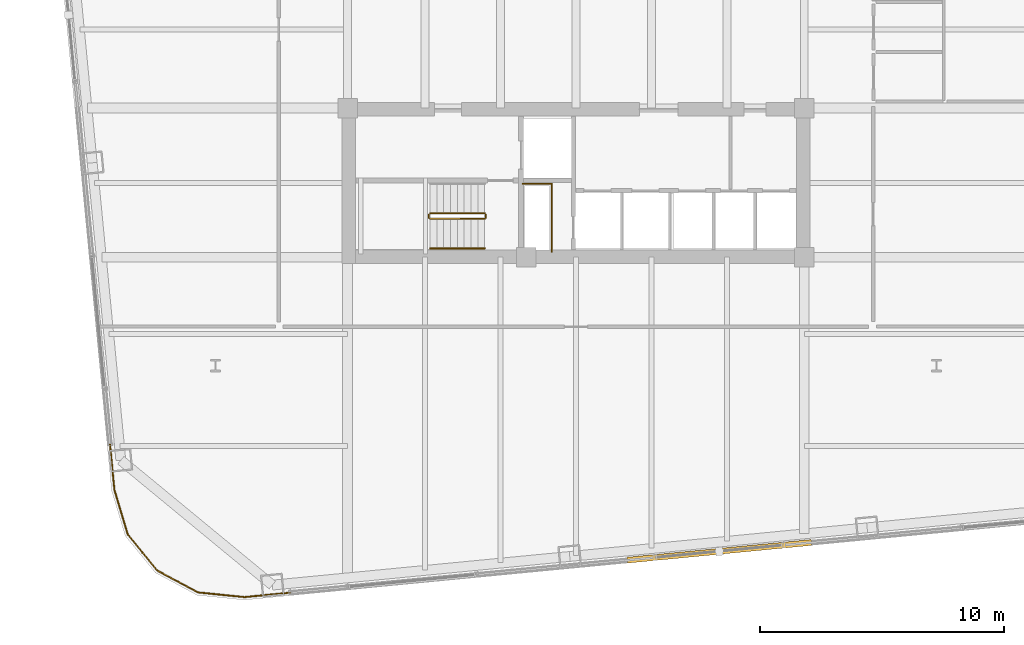
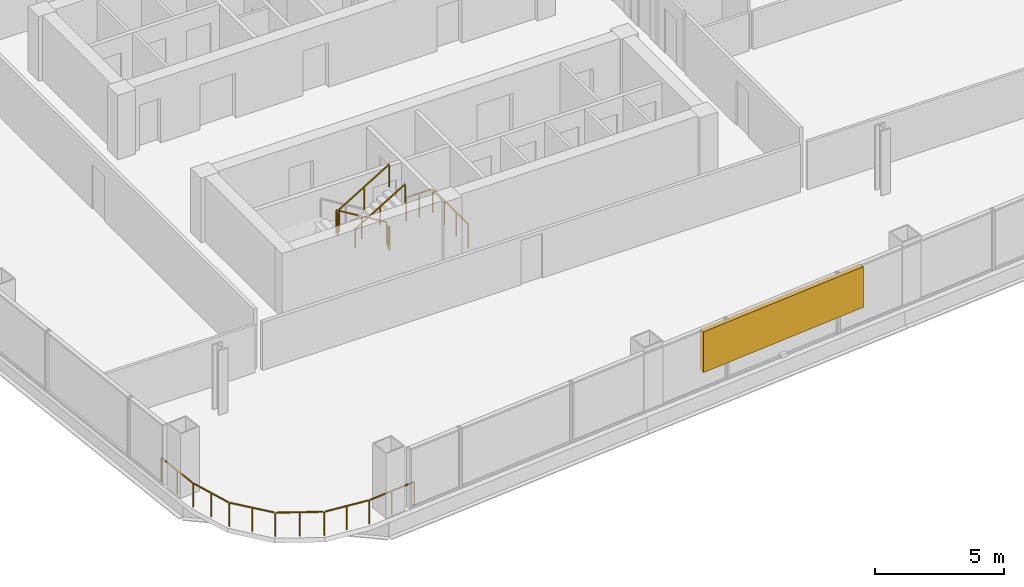
# One storey, part 24 of 26: 7 railings, 1 shading device.
"""IFC4 building model written with IfcOpenShell, lengths in metres."""

from ifc_helpers import new_model, si_unit, direction, frame, origin, origin_2d, place, context, subcontext, project, spatial, rectangle, extrude, material, type_object, element, save


model = new_model("IFC4")

# Units and contexts
model_context = context("Model", 3, precision=1e-05, world=origin(), true_north=direction((0.0, 1.0)))
body_context = subcontext(model_context, "Body", "Model", "MODEL_VIEW")
ifc_project = project(units=[si_unit("LENGTHUNIT", "METRE"), si_unit("AREAUNIT", "SQUARE_METRE"), si_unit("VOLUMEUNIT", "CUBIC_METRE"), si_unit("PLANEANGLEUNIT", "RADIAN"), si_unit("MASSUNIT", "GRAM", prefix="KILO")], contexts=[model_context])

# Site, building, storey
site_placement = place(None, origin())
site = spatial("IfcSite", under=ifc_project, at=site_placement, CompositionType="ELEMENT")
building_placement = place(site_placement, origin())
building = spatial("IfcBuilding", under=site, at=building_placement, Name="Qhalaya Broadcast Tower", CompositionType="ELEMENT")
storey_placement = place(building_placement, frame((0.0, 0.0, 72.5)))
storey = spatial("IfcBuildingStorey", under=building, at=storey_placement, Name="L20", CompositionType="ELEMENT", Elevation=72.5)

# Railings
ifc_material_1 = material(Name="Powder-Coated Galvanised Steel", Category="steel")
railing_type_1 = type_object("IfcRailingType", Name="Stair Wall Handrail 900", PredefinedType="HANDRAIL", material=ifc_material_1)
railing_1_placement = place(storey_placement, frame((-5.989990234375, -8.389892578125, 1.6943359375)))
element("IfcRailing", 1, at=railing_1_placement, inside=storey, type_object=railing_type_1, Name="L20 ST-2 Stair Handrail 2", PredefinedType="HANDRAIL", context=body_context, shape_type="SweptSolid", body=[
    extrude(rectangle(XDim=0.048095703125, YDim=0.048095703125, at=origin_2d()), frame((0.0, 0.0, 0.8759765625), z_axis=(0.855512035549, 0.0, 0.517782924622), x_axis=(0.0, 1.0, 0.0)), (0.0, 0.0, 1.0), 2.618408203125),
    extrude(rectangle(XDim=0.0419921875, YDim=0.0419921875, at=origin_2d()), origin(), (0.0, 0.0, 1.0), 0.849853515625),
    extrude(rectangle(XDim=0.0419921875, YDim=0.0419921875, at=origin_2d()), frame((1.1201171875, 0.0, 0.677734375)), (0.0, 0.0, 1.0), 0.849853515625),
    extrude(rectangle(XDim=0.0419921875, YDim=0.0419921875, at=origin_2d()), frame((2.239990234375, 0.0, 1.355712890625)), (0.0, 0.0, 1.0), 0.849853515625),
])
railing_type_2 = type_object("IfcRailingType", Name="Stair Well & Landing Guardrail 1100", PredefinedType="GUARDRAIL", material=ifc_material_1)
railing_2_placement = place(storey_placement, frame((-1.0, -8.52001953125, 0.0)))
element("IfcRailing", 2, at=railing_2_placement, inside=storey, type_object=railing_type_2, Name="L20 Service Riser Opening Safety Guard SRSR", PredefinedType="GUARDRAIL", context=body_context, shape_type="SweptSolid", body=[
    extrude(rectangle(XDim=0.048095703125, YDim=0.048095703125, at=origin_2d()), frame((0.0, 0.0, 1.1259765625), z_axis=(0.0, 1.0, 0.0), x_axis=(-1.0, 0.0, 0.0)), (0.0, 0.0, 1.0), 2.751220703125),
    extrude(rectangle(XDim=0.048095703125, YDim=0.048095703125, at=origin_2d()), frame((-0.02880859375, 2.780029296875, 1.1259765625), z_axis=(-1.0, 0.0, 0.0), x_axis=(0.0, -1.0, 0.0)), (0.0, 0.0, 1.0), 1.151123046875),
    extrude(rectangle(XDim=0.0419921875, YDim=0.0419921875, at=origin_2d()), origin(), (0.0, 0.0, 1.0), 1.099853515625),
    extrude(rectangle(XDim=0.0419921875, YDim=0.0419921875, at=origin_2d()), frame((0.0, 0.9267578125, 0.0)), (0.0, 0.0, 1.0), 1.099853515625),
    extrude(rectangle(XDim=0.0419921875, YDim=0.0419921875, at=origin_2d()), frame((0.0, 1.853271484375, 0.0)), (0.0, 0.0, 1.0), 1.099853515625),
    extrude(rectangle(XDim=0.0419921875, YDim=0.0419921875, at=origin_2d()), frame((0.0, 2.780029296875, 0.0)), (0.0, 0.0, 1.0), 1.099853515625),
    extrude(rectangle(XDim=0.0419921875, YDim=0.0419921875, at=origin_2d()), frame((-0.58984375, 2.780029296875, 0.0)), (0.0, 0.0, 1.0), 1.099853515625),
    extrude(rectangle(XDim=0.0419921875, YDim=0.0419921875, at=origin_2d()), frame((-1.179931640625, 2.780029296875, 0.0)), (0.0, 0.0, 1.0), 1.099853515625),
])
railing_3_placement = place(storey_placement, frame((-3.75, -6.949951171875, 0.16943359375)))
element("IfcRailing", 3, at=railing_3_placement, inside=storey, type_object=railing_type_2, Name="L20 ST-2 Stair Guard 1", PredefinedType="GUARDRAIL", context=body_context, shape_type="SweptSolid", body=[
    extrude(rectangle(XDim=0.048095703125, YDim=0.048095703125, at=origin_2d()), frame((0.0, 0.0, 1.076171875), z_axis=(-0.855553338991, 0.0, 0.51771467445), x_axis=(0.0, -1.0, 0.0)), (0.0, 0.0, 1.0), 2.6181640625),
    extrude(rectangle(XDim=0.0419921875, YDim=0.0419921875, at=origin_2d()), origin(), (0.0, 0.0, 1.0), 1.050048828125),
    extrude(rectangle(XDim=0.0419921875, YDim=0.0419921875, at=origin_2d()), frame((-1.1201171875, 0.0, 0.677734375)), (0.0, 0.0, 1.0), 1.050048828125),
    extrude(rectangle(XDim=0.0419921875, YDim=0.0419921875, at=origin_2d()), frame((-2.239990234375, 0.0, 1.35546875)), (0.0, 0.0, 1.0), 1.050048828125),
])
railing_4_placement = place(storey_placement, frame((-6.0400390625, -7.0, 1.52490234375)))
element("IfcRailing", 4, at=railing_4_placement, inside=storey, type_object=railing_type_2, Name="L20 ST-2 Stair Guard 2", PredefinedType="GUARDRAIL", context=body_context, shape_type="SweptSolid", body=[
    extrude(rectangle(XDim=0.048095703125, YDim=0.048095703125, at=origin_2d()), frame((0.0, 0.0, 1.076171875), z_axis=(0.0, -1.0, 0.0), x_axis=(1.0, 0.0, 0.0)), (0.0, 0.0, 1.0), 0.1201171875),
    extrude(rectangle(XDim=0.0419921875, YDim=0.0419921875, at=origin_2d()), origin(), (0.0, 0.0, 1.0), 1.050048828125),
    extrude(rectangle(XDim=0.0419921875, YDim=0.0419921875, at=origin_2d()), frame((0.0, -0.1201171875, 0.0)), (0.0, 0.0, 1.0), 1.050048828125),
])
railing_5_placement = place(storey_placement, frame((-5.989990234375, -7.169921875, 1.6943359375)))
element("IfcRailing", 5, at=railing_5_placement, inside=storey, type_object=railing_type_2, Name="L20 ST-2 Stair Guard 3", PredefinedType="GUARDRAIL", context=body_context, shape_type="SweptSolid", body=[
    extrude(rectangle(XDim=0.048095703125, YDim=0.048095703125, at=origin_2d()), frame((0.0, 0.0, 1.076171875), z_axis=(0.855512035549, 0.0, 0.517782924622), x_axis=(0.0, 1.0, 0.0)), (0.0, 0.0, 1.0), 2.618408203125),
    extrude(rectangle(XDim=0.0419921875, YDim=0.0419921875, at=origin_2d()), origin(), (0.0, 0.0, 1.0), 1.050048828125),
    extrude(rectangle(XDim=0.0419921875, YDim=0.0419921875, at=origin_2d()), frame((1.1201171875, 0.0, 0.677734375)), (0.0, 0.0, 1.0), 1.050048828125),
    extrude(rectangle(XDim=0.0419921875, YDim=0.0419921875, at=origin_2d()), frame((2.239990234375, 0.0, 1.355712890625)), (0.0, 0.0, 1.0), 1.050048828125),
])
railing_6_placement = place(storey_placement, frame((-3.699951171875, -7.0, 0.0)))
element("IfcRailing", 6, at=railing_6_placement, inside=storey, type_object=railing_type_2, Name="L20 ST-2 Stair Guard 4", PredefinedType="GUARDRAIL", context=body_context, shape_type="SweptSolid", body=[
    extrude(rectangle(XDim=0.048095703125, YDim=0.048095703125, at=origin_2d()), frame((0.0, 0.0, 1.076171875), z_axis=(0.0, -1.0, 0.0), x_axis=(1.0, 0.0, 0.0)), (0.0, 0.0, 1.0), 0.1201171875),
    extrude(rectangle(XDim=0.0419921875, YDim=0.0419921875, at=origin_2d()), origin(), (0.0, 0.0, 1.0), 1.050048828125),
    extrude(rectangle(XDim=0.0419921875, YDim=0.0419921875, at=origin_2d()), frame((0.0, -0.1201171875, 0.0)), (0.0, 0.0, 1.0), 1.050048828125),
])
railing_type_3 = type_object("IfcRailingType", Name="Terrace, Sky-Pool & Lookout Glass Balustrade 1150", PredefinedType="BALUSTRADE", material=ifc_material_1)
railing_7_placement = place(storey_placement, frame((-11.50341796875, -22.501708984375, 0.0)))
element("IfcRailing", 7, at=railing_7_placement, inside=storey, type_object=railing_type_3, Name="L20 Rounded Corner Perimeter Guard 02", PredefinedType="BALUSTRADE", context=body_context, shape_type="SweptSolid", body=[
    extrude(rectangle(XDim=0.048095703125, YDim=0.048095703125, at=origin_2d()), frame((0.0, 0.0, 1.1259765625), z_axis=(-0.995402268864, -0.095782687057, 0.0), x_axis=(0.095782687057, -0.995402268864, 0.0)), (0.0, 0.0, 1.0), 2.08935546875),
    extrude(rectangle(XDim=0.048095703125, YDim=0.048095703125, at=origin_2d()), frame((-2.13720703125, -0.199951171875, 1.1259765625), z_axis=(-0.994978953282, 0.100084377028, 0.0), x_axis=(-0.100084377028, -0.994978953282, 0.0)), (0.0, 0.0, 1.0), 1.857177734375),
    extrude(rectangle(XDim=0.048095703125, YDim=0.048095703125, at=origin_2d()), frame((-4.0390625, 0.00244140625, 1.1259765625), z_axis=(-0.880907290044, 0.473288861424, 0.0), x_axis=(-0.473288861424, -0.880907290044, 0.0)), (0.0, 0.0, 1.0), 1.845703125),
    extrude(rectangle(XDim=0.048095703125, YDim=0.048095703125, at=origin_2d()), frame((-5.708740234375, 0.912109375, 1.1259765625), z_axis=(-0.632671796541, 0.774420039683, 0.0), x_axis=(-0.774420039683, -0.632671796541, 0.0)), (0.0, 0.0, 1.0), 1.845458984375),
    extrude(rectangle(XDim=0.048095703125, YDim=0.048095703125, at=origin_2d()), frame((-6.90283203125, 2.39111328125, 1.1259765625), z_axis=(-0.288213171456, 0.95756627332, 0.0), x_axis=(-0.95756627332, -0.288213171456, 0.0)), (0.0, 0.0, 1.0), 1.857421875),
    extrude(rectangle(XDim=0.048095703125, YDim=0.048095703125, at=origin_2d()), frame((-7.44921875, 4.226318359375, 1.1259765625), z_axis=(-0.095782687057, 0.995402268864, 0.0), x_axis=(-0.995402268864, -0.095782687057, 0.0)), (0.0, 0.0, 1.0), 2.08935546875),
    extrude(rectangle(XDim=0.0419921875, YDim=0.0419921875, at=origin_2d()), origin(), (0.0, 0.0, 1.0), 1.099853515625),
    extrude(rectangle(XDim=0.0419921875, YDim=0.0419921875, at=origin_2d()), frame((-1.05419921875, -0.1015625, 0.0)), (0.0, 0.0, 1.0), 1.099853515625),
    extrude(rectangle(XDim=0.0419921875, YDim=0.0419921875, at=origin_2d()), frame((-2.1083984375, -0.202880859375, 0.0)), (0.0, 0.0, 1.0), 1.099853515625),
    extrude(rectangle(XDim=0.0419921875, YDim=0.0419921875, at=origin_2d()), frame((-3.06103515625, -0.10693359375, 0.0)), (0.0, 0.0, 1.0), 1.099853515625),
    extrude(rectangle(XDim=0.0419921875, YDim=0.0419921875, at=origin_2d()), frame((-4.013671875, -0.01123046875, 0.0)), (0.0, 0.0, 1.0), 1.099853515625),
    extrude(rectangle(XDim=0.0419921875, YDim=0.0419921875, at=origin_2d()), frame((-4.85205078125, 0.439208984375, 0.0)), (0.0, 0.0, 1.0), 1.099853515625),
    extrude(rectangle(XDim=0.0419921875, YDim=0.0419921875, at=origin_2d()), frame((-5.6904296875, 0.8896484375, 0.0)), (0.0, 0.0, 1.0), 1.099853515625),
    extrude(rectangle(XDim=0.0419921875, YDim=0.0419921875, at=origin_2d()), frame((-6.29248046875, 1.62646484375, 0.0)), (0.0, 0.0, 1.0), 1.099853515625),
    extrude(rectangle(XDim=0.0419921875, YDim=0.0419921875, at=origin_2d()), frame((-6.89453125, 2.363525390625, 0.0)), (0.0, 0.0, 1.0), 1.099853515625),
    extrude(rectangle(XDim=0.0419921875, YDim=0.0419921875, at=origin_2d()), frame((-7.17041015625, 3.280517578125, 0.0)), (0.0, 0.0, 1.0), 1.099853515625),
    extrude(rectangle(XDim=0.0419921875, YDim=0.0419921875, at=origin_2d()), frame((-7.446533203125, 4.197509765625, 0.0)), (0.0, 0.0, 1.0), 1.099853515625),
    extrude(rectangle(XDim=0.0419921875, YDim=0.0419921875, at=origin_2d()), frame((-7.5478515625, 5.251708984375, 0.0)), (0.0, 0.0, 1.0), 1.099853515625),
    extrude(rectangle(XDim=0.0419921875, YDim=0.0419921875, at=origin_2d()), frame((-7.6494140625, 6.305908203125, 0.0)), (0.0, 0.0, 1.0), 1.099853515625),
])

# Shading device
ifc_material_2 = material(Name="Fired Architectural Terracotta", Category="masonry")
shading_device_type = type_object("IfcShadingDeviceType", Name="Terracotta Baguette Solar Screen Assembly TBS-01", PredefinedType="USERDEFINED", material=ifc_material_2)
shading_device_placement = place(storey_placement, frame((5.88623046875, -20.827392578125, 0.79248046875), z_axis=(0.0, 0.0, 1.0), x_axis=(0.995396198367, 0.09584575252, 0.0)))
element("IfcShadingDevice", 8, at=shading_device_placement, inside=storey, type_object=shading_device_type, Name="L20 Fired Terracotta Baguette Screen S", ObjectType="BAGUETTE", PredefinedType="USERDEFINED", context=body_context, shape_type="SweptSolid", body=[
    extrude(rectangle(XDim=7.60009765625, YDim=0.239990234375, at=origin_2d()), origin(), (0.0, 0.0, 1.0), 1.924072265625),
])

save(model, "model.ifc")
